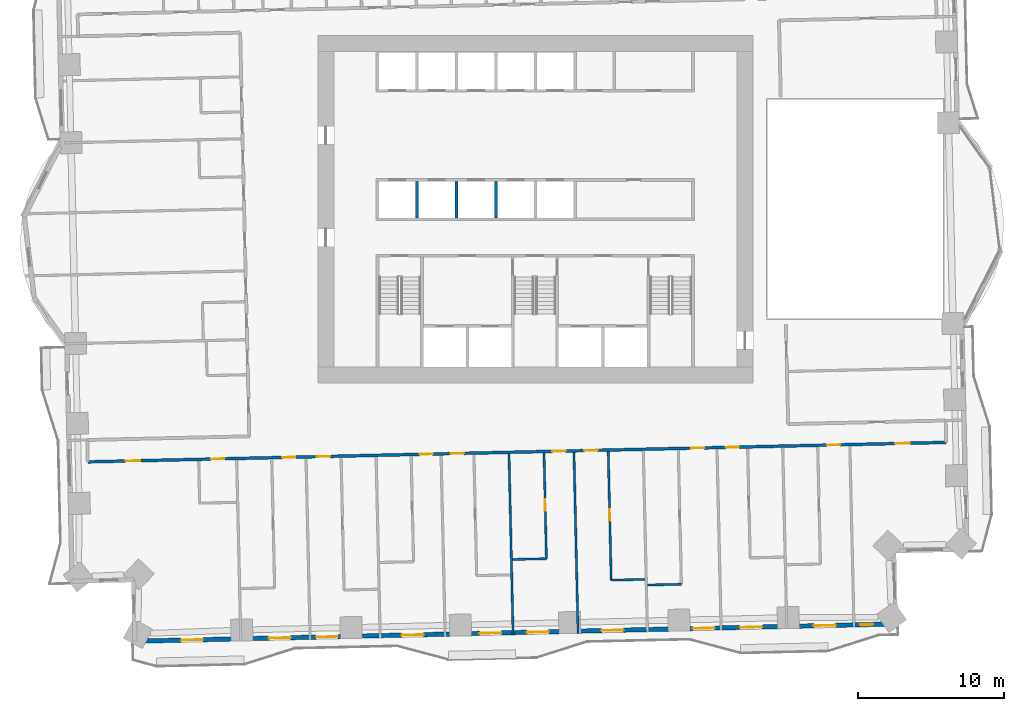
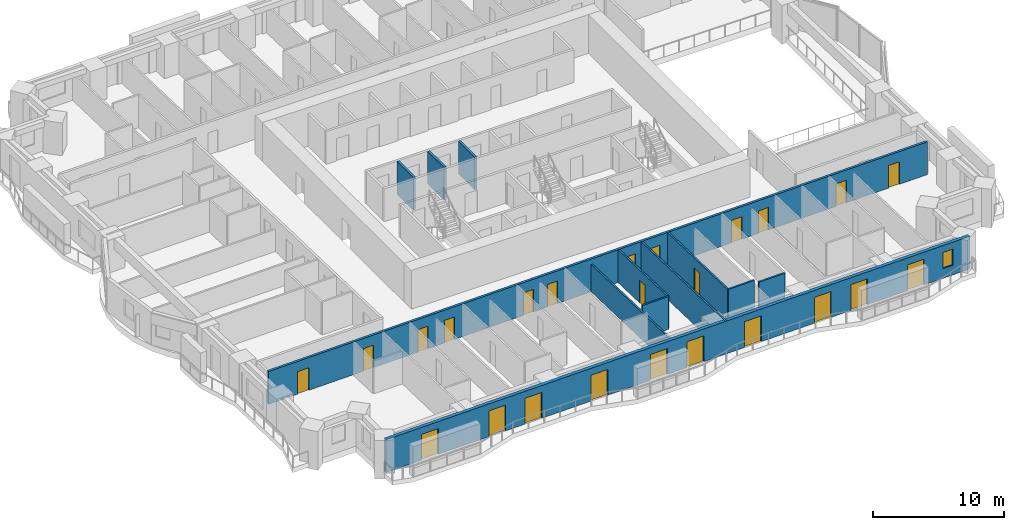
# One storey, part 6 of 16: 24 doors, 12 walls, 1 window, 25 openings.
"""IFC4 building model written with IfcOpenShell, lengths in metres."""

from ifc_helpers import new_model, si_unit, direction, frame, frame_2d, origin, place, context, subcontext, project, spatial, rectangle, extrude, material, layer, layer_set, type_object, element, fill, save


model = new_model("IFC4")

# Units and contexts
model_context = context("Model", 3, precision=1e-05, world=origin(), true_north=direction((0.0, 1.0)))
body_context = subcontext(model_context, "Body", "Model", "MODEL_VIEW")
ifc_project = project(units=[si_unit("LENGTHUNIT", "METRE"), si_unit("AREAUNIT", "SQUARE_METRE"), si_unit("VOLUMEUNIT", "CUBIC_METRE"), si_unit("PLANEANGLEUNIT", "RADIAN"), si_unit("MASSUNIT", "GRAM", prefix="KILO")], contexts=[model_context])

# Site, building, storey
site_placement = place(None, origin())
site = spatial("IfcSite", under=ifc_project, at=site_placement, CompositionType="ELEMENT")
building_placement = place(site_placement, origin())
building = spatial("IfcBuilding", under=site, at=building_placement, Name="Mangrove Gate Tower", CompositionType="ELEMENT")
storey_placement = place(building_placement, frame((0.0, 0.0, 44.89990234375)))
storey = spatial("IfcBuildingStorey", under=building, at=storey_placement, Name="L10", CompositionType="ELEMENT", Elevation=44.89990234375)

# Walls
ifc_material_1 = material(Name="Concrete C70/85", Category="concrete")
ifc_layer_1 = layer(ifc_material_1, 0.199951171875)
ifc_layer_set_1 = layer_set([ifc_layer_1], Name="Core shaft wall 200 C70/85")
wall_type_1 = type_object("IfcWallType", Name="Core shaft wall 200 C70/85", PredefinedType="SHEAR", material=ifc_layer_set_1)
for number, where, z_axis, x_axis, name in (
    (1, (-8.10009765625, -0.60009765625, 0.0), (0.0, 0.0, 1.0), (0.0, 1.0, 0.0), "WALL-L10-CORE-20"),
    (2, (-5.39990234375, -0.60009765625, 0.0), (0.0, 0.0, 1.0), (0.0, 1.0, 0.0), "WALL-L10-CORE-21"),
    (3, (-2.699951171875, -0.60009765625, 0.0), (0.0, 0.0, 1.0), (0.0, 1.0, 0.0), "WALL-L10-CORE-22"),
):
    element("IfcWall", number, at=place(storey_placement, frame(where, z_axis=z_axis, x_axis=x_axis)), inside=storey, type_object=wall_type_1, Name=name, PredefinedType="SHEAR", context=body_context, shape_type="SweptSolid", body=[
        extrude(rectangle(XDim=2.5, YDim=0.199951171875, at=frame_2d((1.25, 0.0))), origin(), (0.0, 0.0, 1.0), 3.050048828125),
    ])

# Wall, openings, doors
ifc_material_2 = material(Name="Gypsum board on steel stud, EI 60", Category="steel")
ifc_layer_2 = layer(ifc_material_2, 0.199951171875)
ifc_layer_set_2 = layer_set([ifc_layer_2], Name="Corridor wall EI 60")
wall_type_2 = type_object("IfcWallType", Name="Corridor wall EI 60", PredefinedType="PARTITIONING", material=ifc_layer_set_2)
wall_1_placement = place(storey_placement, frame((-30.652099609375, -17.31298828125, 0.0), z_axis=(0.0, 0.0, 1.0), x_axis=(0.999742623764, 0.02268669719, 0.0)))
wall_1 = element("IfcWall", 4, at=wall_1_placement, inside=storey, type_object=wall_type_2, Name="WALL-L10-031", PredefinedType="PARTITIONING", context=body_context, shape_type="SweptSolid", body=[
    extrude(rectangle(XDim=58.80029296875, YDim=0.199951171875, at=frame_2d((29.400146484375, 0.0))), origin(), (0.0, 0.0, 1.0), 3.050048828125),
])
opening_1_placement = place(wall_1_placement, frame((2.60009765625, 0.0, 0.0)))
opening_1 = element("IfcOpeningElement", 5, at=opening_1_placement, cuts=wall_1, Name="Opening AD", PredefinedType="OPENING", context=body_context, shape_type="SweptSolid", body=[
    extrude(rectangle(XDim=1.0, YDim=2.10009765625, at=frame_2d((0.5, 1.050048828125))), frame((0.0, 0.10986328125, 0.0), z_axis=(0.0, -1.0, 0.0), x_axis=(1.0, 0.0, 0.0)), (0.0, 0.0, 1.0), 0.219970703125),
])
opening_2_placement = place(wall_1_placement, frame((8.449951171875, 0.0, 0.0)))
opening_2 = element("IfcOpeningElement", 6, at=opening_2_placement, cuts=wall_1, Name="Opening SD", PredefinedType="OPENING", context=body_context, shape_type="SweptSolid", body=[
    extrude(rectangle(XDim=0.89990234375, YDim=2.10009765625, at=frame_2d((0.449951171875, 1.050048828125))), frame((0.0, 0.10986328125, 0.0), z_axis=(0.0, -1.0, 0.0), x_axis=(1.0, 0.0, 0.0)), (0.0, 0.0, 1.0), 0.219970703125),
])
opening_3_placement = place(wall_1_placement, frame((13.324951171875, 0.0, 0.0)))
opening_3 = element("IfcOpeningElement", 7, at=opening_3_placement, cuts=wall_1, Name="Opening BD", PredefinedType="OPENING", context=body_context, shape_type="SweptSolid", body=[
    extrude(rectangle(XDim=0.89990234375, YDim=2.10009765625, at=frame_2d((0.449951171875, 1.050048828125))), frame((0.0, 0.10986328125, 0.0), z_axis=(0.0, -1.0, 0.0), x_axis=(1.0, 0.0, 0.0)), (0.0, 0.0, 1.0), 0.219970703125),
])
opening_4_placement = place(wall_1_placement, frame((15.699951171875, 0.0, 0.0)))
opening_4 = element("IfcOpeningElement", 8, at=opening_4_placement, cuts=wall_1, Name="Opening BD", PredefinedType="OPENING", context=body_context, shape_type="SweptSolid", body=[
    extrude(rectangle(XDim=0.89990234375, YDim=2.10009765625, at=frame_2d((0.449951171875, 1.050048828125))), frame((0.0, 0.10986328125, 0.0), z_axis=(0.0, -1.0, 0.0), x_axis=(1.0, 0.0, 0.0)), (0.0, 0.0, 1.0), 0.219970703125),
])
opening_5_placement = place(wall_1_placement, frame((22.72509765625, 0.0, 0.0)))
opening_5 = element("IfcOpeningElement", 9, at=opening_5_placement, cuts=wall_1, Name="Opening BD", PredefinedType="OPENING", context=body_context, shape_type="SweptSolid", body=[
    extrude(rectangle(XDim=0.89990234375, YDim=2.10009765625, at=frame_2d((0.449951171875, 1.050048828125))), frame((0.0, 0.10986328125, 0.0), z_axis=(0.0, -1.0, 0.0), x_axis=(1.0, 0.0, 0.0)), (0.0, 0.0, 1.0), 0.219970703125),
])
opening_6_placement = place(wall_1_placement, frame((24.875, 0.0, 0.0)))
opening_6 = element("IfcOpeningElement", 10, at=opening_6_placement, cuts=wall_1, Name="Opening BD", PredefinedType="OPENING", context=body_context, shape_type="SweptSolid", body=[
    extrude(rectangle(XDim=0.89990234375, YDim=2.10009765625, at=frame_2d((0.449951171875, 1.050048828125))), frame((0.0, 0.10986328125, 0.0), z_axis=(0.0, -1.0, 0.0), x_axis=(1.0, 0.0, 0.0)), (0.0, 0.0, 1.0), 0.219970703125),
])
opening_7_placement = place(wall_1_placement, frame((31.824951171875, 0.0, 0.0)))
opening_7 = element("IfcOpeningElement", 11, at=opening_7_placement, cuts=wall_1, Name="Opening BD", PredefinedType="OPENING", context=body_context, shape_type="SweptSolid", body=[
    extrude(rectangle(XDim=0.89990234375, YDim=2.10009765625, at=frame_2d((0.449951171875, 1.050048828125))), frame((0.0, 0.10986328125, 0.0), z_axis=(0.0, -1.0, 0.0), x_axis=(1.0, 0.0, 0.0)), (0.0, 0.0, 1.0), 0.219970703125),
])
opening_8_placement = place(wall_1_placement, frame((34.02490234375, 0.0, 0.0)))
opening_8 = element("IfcOpeningElement", 12, at=opening_8_placement, cuts=wall_1, Name="Opening BD", PredefinedType="OPENING", context=body_context, shape_type="SweptSolid", body=[
    extrude(rectangle(XDim=0.89990234375, YDim=2.10009765625, at=frame_2d((0.449951171875, 1.050048828125))), frame((0.0, 0.10986328125, 0.0), z_axis=(0.0, -1.0, 0.0), x_axis=(1.0, 0.0, 0.0)), (0.0, 0.0, 1.0), 0.219970703125),
])
opening_9_placement = place(wall_1_placement, frame((41.324951171875, 0.0, 0.0)))
opening_9 = element("IfcOpeningElement", 13, at=opening_9_placement, cuts=wall_1, Name="Opening BD", PredefinedType="OPENING", context=body_context, shape_type="SweptSolid", body=[
    extrude(rectangle(XDim=0.89990234375, YDim=2.10009765625, at=frame_2d((0.449951171875, 1.050048828125))), frame((0.0, 0.10986328125, 0.0), z_axis=(0.0, -1.0, 0.0), x_axis=(1.0, 0.0, 0.0)), (0.0, 0.0, 1.0), 0.219970703125),
])
opening_10_placement = place(wall_1_placement, frame((43.699951171875, 0.0, 0.0)))
opening_10 = element("IfcOpeningElement", 14, at=opening_10_placement, cuts=wall_1, Name="Opening BD", PredefinedType="OPENING", context=body_context, shape_type="SweptSolid", body=[
    extrude(rectangle(XDim=0.89990234375, YDim=2.10009765625, at=frame_2d((0.449951171875, 1.050048828125))), frame((0.0, 0.10986328125, 0.0), z_axis=(0.0, -1.0, 0.0), x_axis=(1.0, 0.0, 0.0)), (0.0, 0.0, 1.0), 0.219970703125),
])
opening_11_placement = place(wall_1_placement, frame((50.64990234375, 0.0, 0.0)))
opening_11 = element("IfcOpeningElement", 15, at=opening_11_placement, cuts=wall_1, Name="Opening BD", PredefinedType="OPENING", context=body_context, shape_type="SweptSolid", body=[
    extrude(rectangle(XDim=0.89990234375, YDim=2.10009765625, at=frame_2d((0.449951171875, 1.050048828125))), frame((0.0, 0.10986328125, 0.0), z_axis=(0.0, -1.0, 0.0), x_axis=(1.0, 0.0, 0.0)), (0.0, 0.0, 1.0), 0.219970703125),
])
opening_12_placement = place(wall_1_placement, frame((55.303955078125, 0.0, 0.0)))
opening_12 = element("IfcOpeningElement", 16, at=opening_12_placement, cuts=wall_1, Name="Opening AD", PredefinedType="OPENING", context=body_context, shape_type="SweptSolid", body=[
    extrude(rectangle(XDim=1.0, YDim=2.10009765625, at=frame_2d((0.5, 1.050048828125))), frame((0.0, 0.10986328125, 0.0), z_axis=(0.0, -1.0, 0.0), x_axis=(1.0, 0.0, 0.0)), (0.0, 0.0, 1.0), 0.219970703125),
])
ifc_material_3 = material(Name="Timber door leaf", Category="wood")
door_type_1 = type_object("IfcDoorType", Name="Amenity door 1000", OperationType="SINGLE_SWING_LEFT", PredefinedType="DOOR", material=ifc_material_3)
door_1_placement = place(opening_1_placement, origin())
door_1 = element("IfcDoor", 17, at=door_1_placement, inside=storey, type_object=door_type_1, Name="DOOR-L10-GAM-c1a", OperationType="SINGLE_SWING_LEFT", OverallHeight=2.10009765625, OverallWidth=1.0, PredefinedType="DOOR", context=body_context, shape_type="SweptSolid", body=[
    extrude(rectangle(XDim=1.0, YDim=2.10009765625, at=frame_2d((0.5, 1.050048828125))), frame((0.0, 0.02490234375, 0.0), z_axis=(0.0, -1.0, 0.0), x_axis=(1.0, 0.0, 0.0)), (0.0, 0.0, 1.0), 0.050048828125),
])
fill(opening_1, door_1)
door_2_placement = place(opening_12_placement, origin())
door_2 = element("IfcDoor", 18, at=door_2_placement, inside=storey, type_object=door_type_1, Name="DOOR-L10-STU-c3a", OperationType="SINGLE_SWING_RIGHT", OverallHeight=2.10009765625, OverallWidth=1.0, PredefinedType="DOOR", context=body_context, shape_type="SweptSolid", body=[
    extrude(rectangle(XDim=1.0, YDim=2.10009765625, at=frame_2d((0.5, 1.050048828125))), frame((0.0, 0.02490234375, 0.0), z_axis=(0.0, -1.0, 0.0), x_axis=(1.0, 0.0, 0.0)), (0.0, 0.0, 1.0), 0.050048828125),
])
fill(opening_12, door_2)
ifc_material_4 = material(Name="Timber door leaf", Category="wood")
door_type_2 = type_object("IfcDoorType", Name="Bedroom door 900", OperationType="SINGLE_SWING_LEFT", PredefinedType="DOOR", material=ifc_material_4)
door_3_placement = place(opening_3_placement, origin())
door_3 = element("IfcDoor", 19, at=door_3_placement, inside=storey, type_object=door_type_2, Name="DOOR-L10-BED-c101", OperationType="SINGLE_SWING_LEFT", OverallHeight=2.10009765625, OverallWidth=0.89990234375, PredefinedType="DOOR", context=body_context, shape_type="SweptSolid", body=[
    extrude(rectangle(XDim=0.89990234375, YDim=2.10009765625, at=frame_2d((0.449951171875, 1.050048828125))), frame((0.0, 0.02490234375, 0.0), z_axis=(0.0, -1.0, 0.0), x_axis=(1.0, 0.0, 0.0)), (0.0, 0.0, 1.0), 0.050048828125),
])
fill(opening_3, door_3)
door_4_placement = place(opening_4_placement, origin())
door_4 = element("IfcDoor", 20, at=door_4_placement, inside=storey, type_object=door_type_2, Name="DOOR-L10-BED-c102", OperationType="SINGLE_SWING_RIGHT", OverallHeight=2.10009765625, OverallWidth=0.89990234375, PredefinedType="DOOR", context=body_context, shape_type="SweptSolid", body=[
    extrude(rectangle(XDim=0.89990234375, YDim=2.10009765625, at=frame_2d((0.449951171875, 1.050048828125))), frame((0.0, 0.02490234375, 0.0), z_axis=(0.0, -1.0, 0.0), x_axis=(1.0, 0.0, 0.0)), (0.0, 0.0, 1.0), 0.050048828125),
])
fill(opening_4, door_4)
door_5_placement = place(opening_5_placement, origin())
door_5 = element("IfcDoor", 21, at=door_5_placement, inside=storey, type_object=door_type_2, Name="DOOR-L10-BED-c103", OperationType="SINGLE_SWING_LEFT", OverallHeight=2.10009765625, OverallWidth=0.89990234375, PredefinedType="DOOR", context=body_context, shape_type="SweptSolid", body=[
    extrude(rectangle(XDim=0.89990234375, YDim=2.10009765625, at=frame_2d((0.449951171875, 1.050048828125))), frame((0.0, 0.02490234375, 0.0), z_axis=(0.0, -1.0, 0.0), x_axis=(1.0, 0.0, 0.0)), (0.0, 0.0, 1.0), 0.050048828125),
])
fill(opening_5, door_5)
door_6_placement = place(opening_6_placement, origin())
door_6 = element("IfcDoor", 22, at=door_6_placement, inside=storey, type_object=door_type_2, Name="DOOR-L10-BED-c104", OperationType="SINGLE_SWING_RIGHT", OverallHeight=2.10009765625, OverallWidth=0.89990234375, PredefinedType="DOOR", context=body_context, shape_type="SweptSolid", body=[
    extrude(rectangle(XDim=0.89990234375, YDim=2.10009765625, at=frame_2d((0.449951171875, 1.050048828125))), frame((0.0, 0.02490234375, 0.0), z_axis=(0.0, -1.0, 0.0), x_axis=(1.0, 0.0, 0.0)), (0.0, 0.0, 1.0), 0.050048828125),
])
fill(opening_6, door_6)
door_7_placement = place(opening_7_placement, origin())
door_7 = element("IfcDoor", 23, at=door_7_placement, inside=storey, type_object=door_type_2, Name="DOOR-L10-BED-c205", OperationType="SINGLE_SWING_LEFT", OverallHeight=2.10009765625, OverallWidth=0.89990234375, PredefinedType="DOOR", context=body_context, shape_type="SweptSolid", body=[
    extrude(rectangle(XDim=0.89990234375, YDim=2.10009765625, at=frame_2d((0.449951171875, 1.050048828125))), frame((0.0, 0.02490234375, 0.0), z_axis=(0.0, -1.0, 0.0), x_axis=(1.0, 0.0, 0.0)), (0.0, 0.0, 1.0), 0.050048828125),
])
fill(opening_7, door_7)
door_8_placement = place(opening_8_placement, origin())
door_8 = element("IfcDoor", 24, at=door_8_placement, inside=storey, type_object=door_type_2, Name="DOOR-L10-BED-c206", OperationType="SINGLE_SWING_RIGHT", OverallHeight=2.10009765625, OverallWidth=0.89990234375, PredefinedType="DOOR", context=body_context, shape_type="SweptSolid", body=[
    extrude(rectangle(XDim=0.89990234375, YDim=2.10009765625, at=frame_2d((0.449951171875, 1.050048828125))), frame((0.0, 0.02490234375, 0.0), z_axis=(0.0, -1.0, 0.0), x_axis=(1.0, 0.0, 0.0)), (0.0, 0.0, 1.0), 0.050048828125),
])
fill(opening_8, door_8)
door_9_placement = place(opening_9_placement, origin())
door_9 = element("IfcDoor", 25, at=door_9_placement, inside=storey, type_object=door_type_2, Name="DOOR-L10-BED-c207", OperationType="SINGLE_SWING_LEFT", OverallHeight=2.10009765625, OverallWidth=0.89990234375, PredefinedType="DOOR", context=body_context, shape_type="SweptSolid", body=[
    extrude(rectangle(XDim=0.89990234375, YDim=2.10009765625, at=frame_2d((0.449951171875, 1.050048828125))), frame((0.0, 0.02490234375, 0.0), z_axis=(0.0, -1.0, 0.0), x_axis=(1.0, 0.0, 0.0)), (0.0, 0.0, 1.0), 0.050048828125),
])
fill(opening_9, door_9)
door_10_placement = place(opening_10_placement, origin())
door_10 = element("IfcDoor", 26, at=door_10_placement, inside=storey, type_object=door_type_2, Name="DOOR-L10-BED-c208", OperationType="SINGLE_SWING_RIGHT", OverallHeight=2.10009765625, OverallWidth=0.89990234375, PredefinedType="DOOR", context=body_context, shape_type="SweptSolid", body=[
    extrude(rectangle(XDim=0.89990234375, YDim=2.10009765625, at=frame_2d((0.449951171875, 1.050048828125))), frame((0.0, 0.02490234375, 0.0), z_axis=(0.0, -1.0, 0.0), x_axis=(1.0, 0.0, 0.0)), (0.0, 0.0, 1.0), 0.050048828125),
])
fill(opening_10, door_10)
door_11_placement = place(opening_11_placement, origin())
door_11 = element("IfcDoor", 27, at=door_11_placement, inside=storey, type_object=door_type_2, Name="DOOR-L10-BED-c309", OperationType="SINGLE_SWING_LEFT", OverallHeight=2.10009765625, OverallWidth=0.89990234375, PredefinedType="DOOR", context=body_context, shape_type="SweptSolid", body=[
    extrude(rectangle(XDim=0.89990234375, YDim=2.10009765625, at=frame_2d((0.449951171875, 1.050048828125))), frame((0.0, 0.02490234375, 0.0), z_axis=(0.0, -1.0, 0.0), x_axis=(1.0, 0.0, 0.0)), (0.0, 0.0, 1.0), 0.050048828125),
])
fill(opening_11, door_11)
ifc_material_5 = material(Name="Timber door leaf", Category="wood")
door_type_3 = type_object("IfcDoorType", Name="Service room door 900", OperationType="SINGLE_SWING_LEFT", PredefinedType="DOOR", material=ifc_material_5)
door_12_placement = place(opening_2_placement, origin())
door_12 = element("IfcDoor", 28, at=door_12_placement, inside=storey, type_object=door_type_3, Name="DOOR-L10-AWC-c1a", OperationType="SINGLE_SWING_LEFT", OverallHeight=2.10009765625, OverallWidth=0.89990234375, PredefinedType="DOOR", context=body_context, shape_type="SweptSolid", body=[
    extrude(rectangle(XDim=0.89990234375, YDim=2.10009765625, at=frame_2d((0.449951171875, 1.050048828125))), frame((0.0, 0.02490234375, 0.0), z_axis=(0.0, -1.0, 0.0), x_axis=(1.0, 0.0, 0.0)), (0.0, 0.0, 1.0), 0.050048828125),
])
fill(opening_2, door_12)

# Wall, openings, doors, window
ifc_material_6 = material(Name="Limestone", Category="masonry")
ifc_layer_3 = layer(ifc_material_6, 0.0400390625, Name="Limestone cladding")
ifc_material_7 = material(Name="Ventilated air gap")
ifc_layer_4 = layer(ifc_material_7, 0.0400390625, Name="Ventilated cavity")
ifc_material_8 = material(Name="Mineral wool insulation")
ifc_layer_5 = layer(ifc_material_8, 0.06005859375, Name="Insulation")
ifc_material_9 = material(Name="Breather membrane")
ifc_layer_6 = layer(ifc_material_9, 0.001953125, Name="Breather membrane")
ifc_material_10 = material(Name="Concrete C20/25 blockwork", Category="masonry")
ifc_layer_7 = layer(ifc_material_10, 0.14990234375, Name="Blockwork backing wall")
ifc_material_11 = material(Name="Gypsum plaster")
ifc_layer_8 = layer(ifc_material_11, 0.008056640625, Name="Internal plaster")
ifc_layer_set_3 = layer_set([ifc_layer_3, ifc_layer_4, ifc_layer_5, ifc_layer_6, ifc_layer_7, ifc_layer_8], Name="External wall 300 limestone cladding")
wall_type_3 = type_object("IfcWallType", Name="External wall 300 limestone cladding", PredefinedType="SOLIDWALL", material=ifc_layer_set_3)
wall_2_placement = place(storey_placement, frame((-27.423095703125, -29.593017578125, 0.0), z_axis=(0.0, 0.0, 1.0), x_axis=(0.999742563204, 0.022689365739, 0.0)))
wall_2 = element("IfcWall", 29, at=wall_2_placement, inside=storey, type_object=wall_type_3, Name="WALL-L10-S13", PredefinedType="SOLIDWALL", context=body_context, shape_type="SweptSolid", body=[
    extrude(rectangle(XDim=52.1005859375, YDim=0.300048828125, at=frame_2d((26.05029296875, 0.0))), origin(), (0.0, 0.0, 1.0), 3.050048828125),
])
opening_13_placement = place(wall_2_placement, frame((3.162109375, 0.0, 0.0)))
opening_13 = element("IfcOpeningElement", 30, at=opening_13_placement, cuts=wall_2, Name="Opening BD1", PredefinedType="OPENING", context=body_context, shape_type="SweptSolid", body=[
    extrude(rectangle(XDim=1.5, YDim=2.39990234375, at=frame_2d((0.75, 1.199951171875))), frame((0.0, 0.159912109375, 0.0), z_axis=(0.0, -1.0, 0.0), x_axis=(1.0, 0.0, 0.0)), (0.0, 0.0, 1.0), 0.320068359375),
])
opening_14_placement = place(wall_2_placement, frame((9.16796875, 0.0, 0.0)))
opening_14 = element("IfcOpeningElement", 31, at=opening_14_placement, cuts=wall_2, Name="Opening BD1", PredefinedType="OPENING", context=body_context, shape_type="SweptSolid", body=[
    extrude(rectangle(XDim=1.5, YDim=2.39990234375, at=frame_2d((0.75, 1.199951171875))), frame((0.0, 0.159912109375, 0.0), z_axis=(0.0, -1.0, 0.0), x_axis=(1.0, 0.0, 0.0)), (0.0, 0.0, 1.0), 0.320068359375),
])
opening_15_placement = place(wall_2_placement, frame((12.410888671875, 0.0, 0.0)))
opening_15 = element("IfcOpeningElement", 32, at=opening_15_placement, cuts=wall_2, Name="Opening BD1", PredefinedType="OPENING", context=body_context, shape_type="SweptSolid", body=[
    extrude(rectangle(XDim=1.5, YDim=2.39990234375, at=frame_2d((0.75, 1.199951171875))), frame((0.0, 0.159912109375, 0.0), z_axis=(0.0, -1.0, 0.0), x_axis=(1.0, 0.0, 0.0)), (0.0, 0.0, 1.0), 0.320068359375),
])
opening_16_placement = place(wall_2_placement, frame((18.27490234375, 0.0, 0.0)))
opening_16 = element("IfcOpeningElement", 33, at=opening_16_placement, cuts=wall_2, Name="Opening BD1", PredefinedType="OPENING", context=body_context, shape_type="SweptSolid", body=[
    extrude(rectangle(XDim=1.5, YDim=2.39990234375, at=frame_2d((0.75, 1.199951171875))), frame((0.0, 0.159912109375, 0.0), z_axis=(0.0, -1.0, 0.0), x_axis=(1.0, 0.0, 0.0)), (0.0, 0.0, 1.0), 0.320068359375),
])
opening_17_placement = place(wall_2_placement, frame((23.60302734375, 0.0, 0.0)))
opening_17 = element("IfcOpeningElement", 34, at=opening_17_placement, cuts=wall_2, Name="Opening BD1", PredefinedType="OPENING", context=body_context, shape_type="SweptSolid", body=[
    extrude(rectangle(XDim=1.5, YDim=2.39990234375, at=frame_2d((0.75, 1.199951171875))), frame((0.0, 0.159912109375, 0.0), z_axis=(0.0, -1.0, 0.0), x_axis=(1.0, 0.0, 0.0)), (0.0, 0.0, 1.0), 0.320068359375),
])
opening_18_placement = place(wall_2_placement, frame((26.845947265625, 0.0, 0.0)))
opening_18 = element("IfcOpeningElement", 35, at=opening_18_placement, cuts=wall_2, Name="Opening BD1", PredefinedType="OPENING", context=body_context, shape_type="SweptSolid", body=[
    extrude(rectangle(XDim=1.5, YDim=2.39990234375, at=frame_2d((0.75, 1.199951171875))), frame((0.0, 0.159912109375, 0.0), z_axis=(0.0, -1.0, 0.0), x_axis=(1.0, 0.0, 0.0)), (0.0, 0.0, 1.0), 0.320068359375),
])
opening_19_placement = place(wall_2_placement, frame((31.97509765625, 0.0, 0.0)))
opening_19 = element("IfcOpeningElement", 36, at=opening_19_placement, cuts=wall_2, Name="Opening BD1", PredefinedType="OPENING", context=body_context, shape_type="SweptSolid", body=[
    extrude(rectangle(XDim=1.5, YDim=2.39990234375, at=frame_2d((0.75, 1.199951171875))), frame((0.0, 0.159912109375, 0.0), z_axis=(0.0, -1.0, 0.0), x_axis=(1.0, 0.0, 0.0)), (0.0, 0.0, 1.0), 0.320068359375),
])
opening_20_placement = place(wall_2_placement, frame((38.214111328125, 0.0, 0.0)))
opening_20 = element("IfcOpeningElement", 37, at=opening_20_placement, cuts=wall_2, Name="Opening BD1", PredefinedType="OPENING", context=body_context, shape_type="SweptSolid", body=[
    extrude(rectangle(XDim=1.5, YDim=2.39990234375, at=frame_2d((0.75, 1.199951171875))), frame((0.0, 0.159912109375, 0.0), z_axis=(0.0, -1.0, 0.0), x_axis=(1.0, 0.0, 0.0)), (0.0, 0.0, 1.0), 0.320068359375),
])
opening_21_placement = place(wall_2_placement, frame((41.45703125, 0.0, 0.0)))
opening_21 = element("IfcOpeningElement", 38, at=opening_21_placement, cuts=wall_2, Name="Opening BD1", PredefinedType="OPENING", context=body_context, shape_type="SweptSolid", body=[
    extrude(rectangle(XDim=1.5, YDim=2.39990234375, at=frame_2d((0.75, 1.199951171875))), frame((0.0, 0.159912109375, 0.0), z_axis=(0.0, -1.0, 0.0), x_axis=(1.0, 0.0, 0.0)), (0.0, 0.0, 1.0), 0.320068359375),
])
opening_22_placement = place(wall_2_placement, frame((46.507080078125, 0.0, 0.0)))
opening_22 = element("IfcOpeningElement", 39, at=opening_22_placement, cuts=wall_2, Name="Opening BD1", PredefinedType="OPENING", context=body_context, shape_type="SweptSolid", body=[
    extrude(rectangle(XDim=1.5, YDim=2.39990234375, at=frame_2d((0.75, 1.199951171875))), frame((0.0, 0.159912109375, 0.0), z_axis=(0.0, -1.0, 0.0), x_axis=(1.0, 0.0, 0.0)), (0.0, 0.0, 1.0), 0.320068359375),
])
opening_23_placement = place(wall_2_placement, frame((49.6708984375, 0.0, 0.89990234375)))
opening_23 = element("IfcOpeningElement", 40, at=opening_23_placement, cuts=wall_2, Name="Opening W5", PredefinedType="OPENING", context=body_context, shape_type="SweptSolid", body=[
    extrude(rectangle(XDim=0.89990234375, YDim=1.5, at=frame_2d((0.449951171875, 0.75))), frame((0.0, 0.159912109375, 0.0), z_axis=(0.0, -1.0, 0.0), x_axis=(1.0, 0.0, 0.0)), (0.0, 0.0, 1.0), 0.320068359375),
])
ifc_material_12 = material(Name="Aluminium frame with laminated clear glass", Category="aluminium")
door_type_4 = type_object("IfcDoorType", Name="Balcony sliding door 1500x2400", OperationType="SLIDING_TO_LEFT", PredefinedType="DOOR", material=ifc_material_12)
door_13_placement = place(opening_13_placement, origin())
door_13 = element("IfcDoor", 41, at=door_13_placement, inside=storey, type_object=door_type_4, Name="DOOR-L10-S13-1", OperationType="SLIDING_TO_LEFT", OverallHeight=2.39990234375, OverallWidth=1.5, PredefinedType="DOOR", context=body_context, shape_type="SweptSolid", body=[
    extrude(rectangle(XDim=1.5, YDim=2.39990234375, at=frame_2d((0.75, 1.199951171875))), frame((0.0, 0.02490234375, 0.0), z_axis=(0.0, -1.0, 0.0), x_axis=(1.0, 0.0, 0.0)), (0.0, 0.0, 1.0), 0.050048828125),
])
fill(opening_13, door_13)
door_14_placement = place(opening_14_placement, origin())
door_14 = element("IfcDoor", 42, at=door_14_placement, inside=storey, type_object=door_type_4, Name="DOOR-L10-S13-2", OperationType="SLIDING_TO_LEFT", OverallHeight=2.39990234375, OverallWidth=1.5, PredefinedType="DOOR", context=body_context, shape_type="SweptSolid", body=[
    extrude(rectangle(XDim=1.5, YDim=2.39990234375, at=frame_2d((0.75, 1.199951171875))), frame((0.0, 0.02490234375, 0.0), z_axis=(0.0, -1.0, 0.0), x_axis=(1.0, 0.0, 0.0)), (0.0, 0.0, 1.0), 0.050048828125),
])
fill(opening_14, door_14)
door_15_placement = place(opening_15_placement, origin())
door_15 = element("IfcDoor", 43, at=door_15_placement, inside=storey, type_object=door_type_4, Name="DOOR-L10-S13-3", OperationType="SLIDING_TO_LEFT", OverallHeight=2.39990234375, OverallWidth=1.5, PredefinedType="DOOR", context=body_context, shape_type="SweptSolid", body=[
    extrude(rectangle(XDim=1.5, YDim=2.39990234375, at=frame_2d((0.75, 1.199951171875))), frame((0.0, 0.02490234375, 0.0), z_axis=(0.0, -1.0, 0.0), x_axis=(1.0, 0.0, 0.0)), (0.0, 0.0, 1.0), 0.050048828125),
])
fill(opening_15, door_15)
door_16_placement = place(opening_16_placement, origin())
door_16 = element("IfcDoor", 44, at=door_16_placement, inside=storey, type_object=door_type_4, Name="DOOR-L10-S13-4", OperationType="SLIDING_TO_LEFT", OverallHeight=2.39990234375, OverallWidth=1.5, PredefinedType="DOOR", context=body_context, shape_type="SweptSolid", body=[
    extrude(rectangle(XDim=1.5, YDim=2.39990234375, at=frame_2d((0.75, 1.199951171875))), frame((0.0, 0.02490234375, 0.0), z_axis=(0.0, -1.0, 0.0), x_axis=(1.0, 0.0, 0.0)), (0.0, 0.0, 1.0), 0.050048828125),
])
fill(opening_16, door_16)
door_17_placement = place(opening_17_placement, origin())
door_17 = element("IfcDoor", 45, at=door_17_placement, inside=storey, type_object=door_type_4, Name="DOOR-L10-S13-5", OperationType="SLIDING_TO_LEFT", OverallHeight=2.39990234375, OverallWidth=1.5, PredefinedType="DOOR", context=body_context, shape_type="SweptSolid", body=[
    extrude(rectangle(XDim=1.5, YDim=2.39990234375, at=frame_2d((0.75, 1.199951171875))), frame((0.0, 0.02490234375, 0.0), z_axis=(0.0, -1.0, 0.0), x_axis=(1.0, 0.0, 0.0)), (0.0, 0.0, 1.0), 0.050048828125),
])
fill(opening_17, door_17)
door_18_placement = place(opening_18_placement, origin())
door_18 = element("IfcDoor", 46, at=door_18_placement, inside=storey, type_object=door_type_4, Name="DOOR-L10-S13-6", OperationType="SLIDING_TO_LEFT", OverallHeight=2.39990234375, OverallWidth=1.5, PredefinedType="DOOR", context=body_context, shape_type="SweptSolid", body=[
    extrude(rectangle(XDim=1.5, YDim=2.39990234375, at=frame_2d((0.75, 1.199951171875))), frame((0.0, 0.02490234375, 0.0), z_axis=(0.0, -1.0, 0.0), x_axis=(1.0, 0.0, 0.0)), (0.0, 0.0, 1.0), 0.050048828125),
])
fill(opening_18, door_18)
door_19_placement = place(opening_19_placement, origin())
door_19 = element("IfcDoor", 47, at=door_19_placement, inside=storey, type_object=door_type_4, Name="DOOR-L10-S13-7", OperationType="SLIDING_TO_LEFT", OverallHeight=2.39990234375, OverallWidth=1.5, PredefinedType="DOOR", context=body_context, shape_type="SweptSolid", body=[
    extrude(rectangle(XDim=1.5, YDim=2.39990234375, at=frame_2d((0.75, 1.199951171875))), frame((0.0, 0.02490234375, 0.0), z_axis=(0.0, -1.0, 0.0), x_axis=(1.0, 0.0, 0.0)), (0.0, 0.0, 1.0), 0.050048828125),
])
fill(opening_19, door_19)
door_20_placement = place(opening_20_placement, origin())
door_20 = element("IfcDoor", 48, at=door_20_placement, inside=storey, type_object=door_type_4, Name="DOOR-L10-S13-8", OperationType="SLIDING_TO_LEFT", OverallHeight=2.39990234375, OverallWidth=1.5, PredefinedType="DOOR", context=body_context, shape_type="SweptSolid", body=[
    extrude(rectangle(XDim=1.5, YDim=2.39990234375, at=frame_2d((0.75, 1.199951171875))), frame((0.0, 0.02490234375, 0.0), z_axis=(0.0, -1.0, 0.0), x_axis=(1.0, 0.0, 0.0)), (0.0, 0.0, 1.0), 0.050048828125),
])
fill(opening_20, door_20)
door_21_placement = place(opening_21_placement, origin())
door_21 = element("IfcDoor", 49, at=door_21_placement, inside=storey, type_object=door_type_4, Name="DOOR-L10-S13-9", OperationType="SLIDING_TO_LEFT", OverallHeight=2.39990234375, OverallWidth=1.5, PredefinedType="DOOR", context=body_context, shape_type="SweptSolid", body=[
    extrude(rectangle(XDim=1.5, YDim=2.39990234375, at=frame_2d((0.75, 1.199951171875))), frame((0.0, 0.02490234375, 0.0), z_axis=(0.0, -1.0, 0.0), x_axis=(1.0, 0.0, 0.0)), (0.0, 0.0, 1.0), 0.050048828125),
])
fill(opening_21, door_21)
door_22_placement = place(opening_22_placement, origin())
door_22 = element("IfcDoor", 50, at=door_22_placement, inside=storey, type_object=door_type_4, Name="DOOR-L10-S13-10", OperationType="SLIDING_TO_LEFT", OverallHeight=2.39990234375, OverallWidth=1.5, PredefinedType="DOOR", context=body_context, shape_type="SweptSolid", body=[
    extrude(rectangle(XDim=1.5, YDim=2.39990234375, at=frame_2d((0.75, 1.199951171875))), frame((0.0, 0.02490234375, 0.0), z_axis=(0.0, -1.0, 0.0), x_axis=(1.0, 0.0, 0.0)), (0.0, 0.0, 1.0), 0.050048828125),
])
fill(opening_22, door_22)
ifc_material_13 = material(Name="Aluminium frame with double-glazed low-e glass", Category="aluminium")
window_type = type_object("IfcWindowType", Name="Narrow window 900x1500", PartitioningType="SINGLE_PANEL", PredefinedType="WINDOW", material=ifc_material_13)
window_placement = place(opening_23_placement, origin())
window = element("IfcWindow", 51, at=window_placement, inside=storey, type_object=window_type, Name="WIN-L10-S13-11", OverallHeight=1.5, OverallWidth=0.89990234375, PartitioningType="SINGLE_PANEL", PredefinedType="WINDOW", context=body_context, shape_type="SweptSolid", body=[
    extrude(rectangle(XDim=0.89990234375, YDim=1.5, at=frame_2d((0.449951171875, 0.75))), frame((0.0, 0.030029296875, 0.0), z_axis=(0.0, -1.0, 0.0), x_axis=(1.0, 0.0, 0.0)), (0.0, 0.0, 1.0), 0.06005859375),
])
fill(opening_23, window)

# Walls
ifc_material_14 = material(Name="Gypsum board on steel stud, EI 60", Category="steel")
ifc_layer_9 = layer(ifc_material_14, 0.14990234375)
ifc_layer_set_4 = layer_set([ifc_layer_9], Name="Party wall 150 EI 60")
wall_type_4 = type_object("IfcWallType", Name="Party wall 150 EI 60", PredefinedType="PARTITIONING", material=ifc_layer_set_4)
wall_3_placement = place(storey_placement, frame((-1.52587890625, -29.155029296875, 0.0), z_axis=(0.0, 0.0, 1.0), x_axis=(-0.022663260168, 0.999743155335, 0.0)))
element("IfcWall", 52, at=wall_3_placement, inside=storey, type_object=wall_type_4, Name="WALL-L10-005", PredefinedType="PARTITIONING", context=body_context, shape_type="SweptSolid", body=[
    extrude(rectangle(XDim=12.399169921875, YDim=0.14990234375, at=frame_2d((6.19970703125, 0.0))), origin(), (0.0, 0.0, 1.0), 2.550048828125),
])
wall_4_placement = place(storey_placement, frame((2.923095703125, -29.053955078125, 0.0), z_axis=(0.0, 0.0, 1.0), x_axis=(-0.022663260168, 0.999743155335, 0.0)))
element("IfcWall", 53, at=wall_4_placement, inside=storey, type_object=wall_type_4, Name="WALL-L10-006", PredefinedType="PARTITIONING", context=body_context, shape_type="SweptSolid", body=[
    extrude(rectangle(XDim=12.399169921875, YDim=0.14990234375, at=frame_2d((6.19970703125, 0.0))), origin(), (0.0, 0.0, 1.0), 3.050048828125),
])
for number, where, z_axis, x_axis, name in (
    (54, (7.674072265625, -25.74609375, 0.0), (0.0, 0.0, 1.0), (0.999740260747, 0.02279059109, 0.0), "WALL-L10-011"),
    (55, (5.19091796875, -25.412109375, 0.0), (0.0, 0.0, 1.0), (0.999737862264, 0.022895561926, 0.0), "WALL-L10-017"),
):
    element("IfcWall", number, at=place(storey_placement, frame(where, z_axis=z_axis, x_axis=x_axis)), inside=storey, type_object=wall_type_4, Name=name, PredefinedType="PARTITIONING", context=body_context, shape_type="SweptSolid", body=[
        extrude(rectangle(XDim=2.324462890625, YDim=0.14990234375, at=frame_2d((1.162109375, 0.0))), origin(), (0.0, 0.0, 1.0), 3.050048828125),
    ])

# Wall, opening, door
wall_5_placement = place(storey_placement, frame((5.19091796875, -25.412109375, 0.0), z_axis=(0.0, 0.0, 1.0), x_axis=(-0.022694967989, 0.999742436044, 0.0)))
wall_5 = element("IfcWall", 56, at=wall_5_placement, inside=storey, type_object=wall_type_4, Name="WALL-L10-018", PredefinedType="PARTITIONING", context=body_context, shape_type="SweptSolid", body=[
    extrude(rectangle(XDim=8.810302734375, YDim=0.14990234375, at=frame_2d((4.4052734375, 0.0))), origin(), (0.0, 0.0, 1.0), 3.050048828125),
])
opening_24_placement = place(wall_5_placement, frame((4.054931640625, 0.0, 0.0)))
opening_24 = element("IfcOpeningElement", 57, at=opening_24_placement, cuts=wall_5, Name="Opening ED", PredefinedType="OPENING", context=body_context, shape_type="SweptSolid", body=[
    extrude(rectangle(XDim=0.800048828125, YDim=2.10009765625, at=frame_2d((0.39990234375, 1.050048828125))), frame((0.0, 0.0849609375, 0.0), z_axis=(0.0, -1.0, 0.0), x_axis=(1.0, 0.0, 0.0)), (0.0, 0.0, 1.0), 0.169921875),
])
ifc_material_15 = material(Name="Timber door leaf", Category="wood")
door_type_5 = type_object("IfcDoorType", Name="En-suite door 800", OperationType="SINGLE_SWING_LEFT", PredefinedType="DOOR", material=ifc_material_15)
door_23_placement = place(opening_24_placement, origin())
door_23 = element("IfcDoor", 58, at=door_23_placement, inside=storey, type_object=door_type_5, Name="DOOR-L10-ENS-c206", OperationType="SINGLE_SWING_RIGHT", OverallHeight=2.10009765625, OverallWidth=0.800048828125, PredefinedType="DOOR", context=body_context, shape_type="SweptSolid", body=[
    extrude(rectangle(XDim=0.800048828125, YDim=2.10009765625, at=frame_2d((0.39990234375, 1.050048828125))), frame((0.0, 0.02490234375, 0.0), z_axis=(0.0, -1.0, 0.0), x_axis=(1.0, 0.0, 0.0)), (0.0, 0.0, 1.0), 0.050048828125),
])
fill(opening_24, door_23)

# Wall
wall_6_placement = place(storey_placement, frame((-1.568115234375, -23.9951171875, 0.0), z_axis=(0.0, 0.0, 1.0), x_axis=(0.99973791731, 0.022893158191, 0.0)))
element("IfcWall", 59, at=wall_6_placement, inside=storey, type_object=wall_type_4, Name="WALL-L10-027", PredefinedType="PARTITIONING", context=body_context, shape_type="SweptSolid", body=[
    extrude(rectangle(XDim=2.32470703125, YDim=0.14990234375, at=frame_2d((1.162353515625, 0.0))), origin(), (0.0, 0.0, 1.0), 3.050048828125),
])

# Wall, opening, door
wall_7_placement = place(storey_placement, frame((0.756103515625, -23.94189453125, 0.0), z_axis=(0.0, 0.0, 1.0), x_axis=(-0.022661655024, 0.999743191721, 0.0)))
wall_7 = element("IfcWall", 60, at=wall_7_placement, inside=storey, type_object=wall_type_4, Name="WALL-L10-028", PredefinedType="PARTITIONING", context=body_context, shape_type="SweptSolid", body=[
    extrude(rectangle(XDim=7.23974609375, YDim=0.14990234375, at=frame_2d((3.619873046875, 0.0))), origin(), (0.0, 0.0, 1.0), 3.050048828125),
])
opening_25_placement = place(wall_7_placement, frame((3.27001953125, 0.0, 0.0)))
opening_25 = element("IfcOpeningElement", 61, at=opening_25_placement, cuts=wall_7, Name="Opening ED", PredefinedType="OPENING", context=body_context, shape_type="SweptSolid", body=[
    extrude(rectangle(XDim=0.800048828125, YDim=2.10009765625, at=frame_2d((0.39990234375, 1.050048828125))), frame((0.0, 0.0849609375, 0.0), z_axis=(0.0, -1.0, 0.0), x_axis=(1.0, 0.0, 0.0)), (0.0, 0.0, 1.0), 0.169921875),
])
door_24_placement = place(opening_25_placement, origin())
door_24 = element("IfcDoor", 62, at=door_24_placement, inside=storey, type_object=door_type_5, Name="DOOR-L10-ENS-c205", OperationType="SINGLE_SWING_LEFT", OverallHeight=2.10009765625, OverallWidth=0.800048828125, PredefinedType="DOOR", context=body_context, shape_type="SweptSolid", body=[
    extrude(rectangle(XDim=0.800048828125, YDim=2.10009765625, at=frame_2d((0.39990234375, 1.050048828125))), frame((0.0, 0.02490234375, 0.0), z_axis=(0.0, -1.0, 0.0), x_axis=(1.0, 0.0, 0.0)), (0.0, 0.0, 1.0), 0.050048828125),
])
fill(opening_25, door_24)

save(model, "model.ifc")
